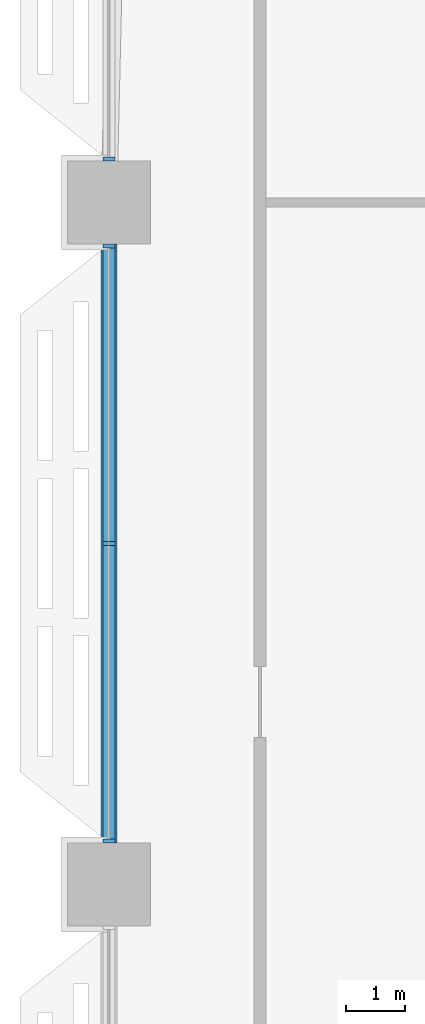
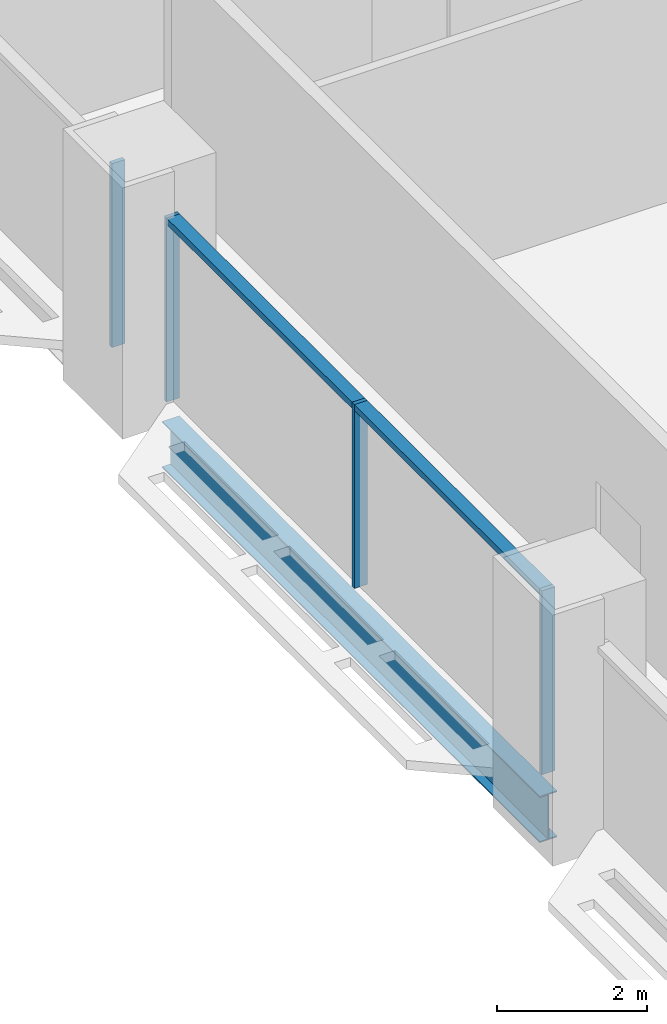
# One storey, part 4 of 29: 6 members, 1 beam, 2 elements without a shape of their own.
"""IFC4 building model written with IfcOpenShell, lengths in metres."""

from ifc_helpers import new_model, si_unit, direction, frame, origin, origin_2d, place, context, subcontext, project, spatial, rectangle, i_section, extrude, material, material_profile, profile_set, type_object, element, aggregate, save


model = new_model("IFC4")

# Units and contexts
model_context = context("Model", 3, precision=1e-05, world=origin(), true_north=direction((0.0, 1.0)))
body_context = subcontext(model_context, "Body", "Model", "MODEL_VIEW")
ifc_project = project(units=[si_unit("LENGTHUNIT", "METRE"), si_unit("AREAUNIT", "SQUARE_METRE"), si_unit("VOLUMEUNIT", "CUBIC_METRE"), si_unit("PLANEANGLEUNIT", "RADIAN"), si_unit("MASSUNIT", "GRAM", prefix="KILO")], contexts=[model_context])

# Site, building, storey
site_placement = place(None, origin())
site = spatial("IfcSite", under=ifc_project, at=site_placement, CompositionType="ELEMENT")
building_placement = place(site_placement, origin())
building = spatial("IfcBuilding", under=site, at=building_placement, Name="Mahtab Terrace Research Tower", CompositionType="ELEMENT")
storey_placement = place(building_placement, frame((0.0, 0.0, 105.300048828125)))
storey = spatial("IfcBuildingStorey", under=building, at=storey_placement, Name="L24", CompositionType="ELEMENT", Elevation=105.300048828125)

# Curtain wall, member
ifc_material_1 = material(Name="Laboratory ribbon curtain wall")
curtain_wall_type = type_object("IfcCurtainWallType", Name="Laboratory ribbon curtain wall", PredefinedType="NOTDEFINED", material=ifc_material_1)
curtain_wall_1_placement = place(storey_placement, origin())
curtain_wall_1 = element("IfcCurtainWall", 1, at=curtain_wall_1_placement, inside=storey, type_object=curtain_wall_type, Name="EN.L24.8.16", PredefinedType="NOTDEFINED")
ifc_material_2 = material(Name="Natural anodised aluminium", Category="aluminium")
ifc_material_profile_1 = material_profile(ifc_material_2, rectangle(XDim=0.199951171875, YDim=0.06494140625, at=origin_2d()), Name="MULLION 65x200")
ifc_profile_set_1 = profile_set([ifc_material_profile_1], Name="Natural anodised aluminium")
member_type_1 = type_object("IfcMemberType", Name="Laboratory ribbon curtain wall mullion", PredefinedType="MULLION", material=ifc_profile_set_1)
member_1_placement = place(storey_placement, frame((-42.0, 12.232421875, 0.0), z_axis=(0.0, 0.0, 1.0), x_axis=(1.0, 0.0, 0.0)))
member_1 = element("IfcMember", 2, at=member_1_placement, type_object=member_type_1, Name="CWL-3 mullion 3", PredefinedType="MULLION", context=body_context, shape_type="SweptSolid", body=[
    extrude(rectangle(XDim=0.199951171875, YDim=0.06494140625, at=origin_2d()), origin(), (0.0, 0.0, 1.0), 3.0029296875),
])
aggregate(curtain_wall_1, [member_1])

# Curtain wall, members
curtain_wall_2_placement = place(storey_placement, origin())
curtain_wall_2 = element("IfcCurtainWall", 3, at=curtain_wall_2_placement, inside=storey, type_object=curtain_wall_type, Name="EN.L24.8.17", PredefinedType="NOTDEFINED")
member_2_placement = place(storey_placement, frame((-42.0, 10.767578125, 0.0), z_axis=(0.0, 0.0, 1.0), x_axis=(1.0, 0.0, 0.0)))
member_2 = element("IfcMember", 4, at=member_2_placement, type_object=member_type_1, Name="CWL-3 mullion 1", PredefinedType="MULLION", context=body_context, shape_type="SweptSolid", body=[
    extrude(rectangle(XDim=0.199951171875, YDim=0.06494140625, at=origin_2d()), origin(), (0.0, 0.0, 1.0), 3.0029296875),
])
member_3_placement = place(storey_placement, frame((-42.0, 5.75, 0.0), z_axis=(0.0, 0.0, 1.0), x_axis=(1.0, 0.0, 0.0)))
member_3 = element("IfcMember", 5, at=member_3_placement, type_object=member_type_1, Name="CWL-3 mullion 2", PredefinedType="MULLION", context=body_context, shape_type="SweptSolid", body=[
    extrude(rectangle(XDim=0.199951171875, YDim=0.06494140625, at=origin_2d()), origin(), (0.0, 0.0, 1.0), 3.0029296875),
])
member_4_placement = place(storey_placement, frame((-42.0, 0.732421875, 0.0), z_axis=(0.0, 0.0, 1.0), x_axis=(1.0, 0.0, 0.0)))
member_4 = element("IfcMember", 6, at=member_4_placement, type_object=member_type_1, Name="CWL-3 mullion 3", PredefinedType="MULLION", context=body_context, shape_type="SweptSolid", body=[
    extrude(rectangle(XDim=0.199951171875, YDim=0.06494140625, at=origin_2d()), origin(), (0.0, 0.0, 1.0), 3.0029296875),
])
ifc_material_profile_2 = material_profile(ifc_material_2, rectangle(XDim=0.199951171875, YDim=0.10009765625, at=origin_2d()), Name="TRANSOM 100x200")
ifc_profile_set_2 = profile_set([ifc_material_profile_2], Name="Natural anodised aluminium")
member_type_2 = type_object("IfcMemberType", Name="Laboratory ribbon curtain wall transom", PredefinedType="USERDEFINED", material=ifc_profile_set_2)
member_5_placement = place(storey_placement, frame((-42.0, 10.735107421875, 2.953125), z_axis=(0.0, -1.0, 0.0), x_axis=(1.0, 0.0, 0.0)))
member_5 = element("IfcMember", 7, at=member_5_placement, type_object=member_type_2, Name="CWL-3 transom 1", ObjectType="TRANSOM", PredefinedType="USERDEFINED", context=body_context, shape_type="SweptSolid", body=[
    extrude(rectangle(XDim=0.199951171875, YDim=0.10009765625, at=origin_2d()), origin(), (0.0, 0.0, 1.0), 4.95263671875),
])
member_6_placement = place(storey_placement, frame((-42.0, 5.717529296875, 2.953125), z_axis=(0.0, -1.0, 0.0), x_axis=(1.0, 0.0, 0.0)))
member_6 = element("IfcMember", 8, at=member_6_placement, type_object=member_type_2, Name="CWL-3 transom 2", ObjectType="TRANSOM", PredefinedType="USERDEFINED", context=body_context, shape_type="SweptSolid", body=[
    extrude(rectangle(XDim=0.199951171875, YDim=0.10009765625, at=origin_2d()), origin(), (0.0, 0.0, 1.0), 4.95263671875),
])
aggregate(curtain_wall_2, [member_2, member_3, member_4, member_5, member_6])

# Beam
ifc_material_3 = material(Name="Steel ASTM A992 Gr 50", Category="steel")
ifc_material_profile_3 = material_profile(ifc_material_3, i_section(OverallWidth=0.2666015625, OverallDepth=0.7568359375, WebThickness=0.013916015625, FlangeThickness=0.019287109375, at=origin_2d()), Name="W30X108")
ifc_profile_set_3 = profile_set([ifc_material_profile_3], Name="Steel ASTM A992 Gr 50")
beam_type = type_object("IfcBeamType", Name="W30x108 beam BS30108", PredefinedType="BEAM", material=ifc_profile_set_3)
beam_placement = place(storey_placement, frame((-42.0, 10.800048828125, -0.718505859375), z_axis=(0.0, -1.0, 0.0), x_axis=(1.0, 0.0, 0.0)))
element("IfcBeam", 9, at=beam_placement, inside=storey, type_object=beam_type, Name="Spandrel beam L24 10", PredefinedType="BEAM", context=body_context, shape_type="SweptSolid", body=[
    extrude(i_section(OverallWidth=0.2666015625, OverallDepth=0.7568359375, WebThickness=0.013916015625, FlangeThickness=0.019287109375, at=origin_2d()), origin(), (0.0, 0.0, 1.0), 10.10009765625),
])

save(model, "model.ifc")
